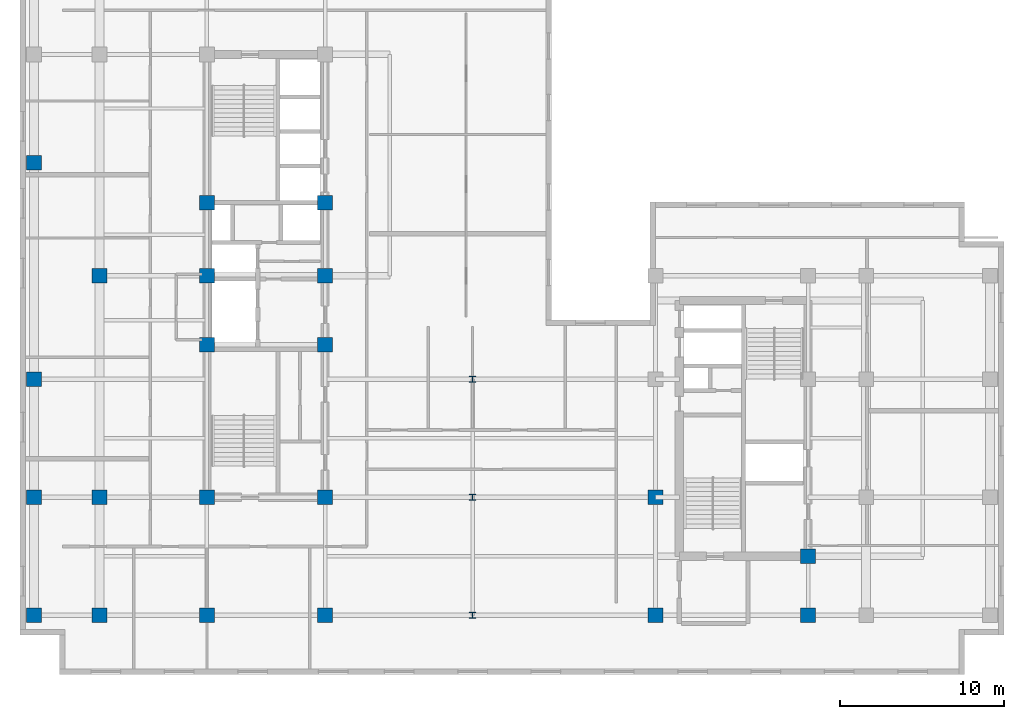
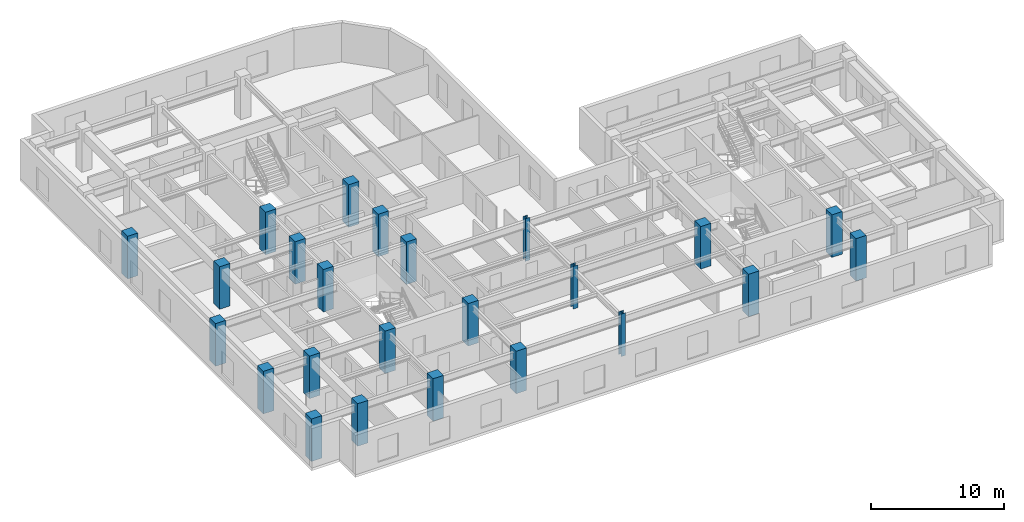
# One storey, part 1 of 11: 24 columns.
"""IFC4 building model written with IfcOpenShell, lengths in metres."""

from ifc_helpers import new_model, entity, si_unit, converted_unit, direction, frame, origin_with_axes, origin_2d_with_axis, place, context, subcontext, project, spatial, rectangle, i_section, extrude, material, material_profile, profile_set, type_object, element, save


model = new_model("IFC4")

# Units and contexts
model_context = context("Model", 3, precision=1e-05, world=origin_with_axes(), true_north=direction((0.0, 1.0)))
body_context = subcontext(model_context, "Body", "Model", "MODEL_VIEW")
ifc_project = project(units=[si_unit("LENGTHUNIT", "METRE"), si_unit("AREAUNIT", "SQUARE_METRE"), si_unit("VOLUMEUNIT", "CUBIC_METRE"), converted_unit("PLANEANGLEUNIT", "DEGREE", entity("IfcPlaneAngleMeasure", 0.017453292519943295), si_unit("PLANEANGLEUNIT", "RADIAN"), dimensions=[0, 0, 0, 0, 0, 0, 0]), si_unit("MASSUNIT", "GRAM", prefix="KILO"), si_unit("THERMODYNAMICTEMPERATUREUNIT", "KELVIN")], contexts=[model_context])

# Site, building, storey
site_placement = place(None, origin_with_axes())
site = spatial("IfcSite", under=ifc_project, at=site_placement, CompositionType="ELEMENT")
building_placement = place(site_placement, origin_with_axes())
building = spatial("IfcBuilding", under=site, at=building_placement, Name="Varnlund Millrace Tower", CompositionType="ELEMENT")
storey_placement = place(building_placement, frame((0.0, 0.0, 216.0), z_axis=(0.0, 0.0, 1.0), x_axis=(1.0, 0.0, 0.0)))
storey = spatial("IfcBuildingStorey", under=building, at=storey_placement, Name="L53", CompositionType="ELEMENT", Elevation=216.0)

# Columns
ifc_material_1 = material(Name="Steel ASTM A992 Grade 50", Category="steel")
ifc_material_profile_1 = material_profile(ifc_material_1, i_section(OverallWidth=0.394, OverallDepth=0.375, WebThickness=0.0173, FlangeThickness=0.0277, FilletRadius=0.02, at=origin_2d_with_axis()), Name="Steel ASTM A992 Grade 50")
ifc_profile_set_1 = profile_set([ifc_material_profile_1], Name="Steel ASTM A992 Grade 50")
column_type_1 = type_object("IfcColumnType", Name="Type-Col-Int-W14X145", PredefinedType="COLUMN", material=ifc_profile_set_1)
for number, where, z_axis, x_axis, name in (
    (1, (27.6, 3.6, 0.0), (0.0, 0.0, 1.0), (1.0, 0.0, 0.0), "Type-Col-Int-W14X145"),
    (2, (27.6, 10.8, 0.0), (0.0, 0.0, 1.0), (1.0, 0.0, 0.0), "Type-Col-Int-W14X145"),
    (3, (27.6, 18.0, 0.0), (0.0, 0.0, 1.0), (1.0, 0.0, 0.0), "Type-Col-Int-W14X145"),
):
    element("IfcColumn", number, at=place(storey_placement, frame(where, z_axis=z_axis, x_axis=x_axis)), inside=storey, type_object=column_type_1, Name=name, PredefinedType="COLUMN", context=body_context, shape_type="SweptSolid", body=[
        extrude(i_section(OverallWidth=0.394, OverallDepth=0.375, WebThickness=0.0173, FlangeThickness=0.0277, FilletRadius=0.02, at=origin_2d_with_axis()), origin_with_axes(), (0.0, 0.0, 1.0), 3.9),
    ])
ifc_material_2 = material(Name="Concrete C70/85", Category="concrete")
ifc_material_profile_2 = material_profile(ifc_material_2, rectangle(XDim=0.9, YDim=0.9, at=origin_2d_with_axis()), Name="Concrete C70/85")
ifc_profile_set_2 = profile_set([ifc_material_profile_2], Name="Concrete C70/85")
column_type_2 = type_object("IfcColumnType", Name="Type-Col-RC900-C70", PredefinedType="COLUMN", material=ifc_profile_set_2)
for number, where, z_axis, x_axis, name in (
    (4, (11.4, 3.6, 0.0), (0.0, 0.0, 1.0), (1.0, 0.0, 0.0), "Type-Col-RC900-C70"),
    (5, (11.4, 10.8, 0.0), (0.0, 0.0, 1.0), (1.0, 0.0, 0.0), "Type-Col-RC900-C70"),
    (6, (11.4, 20.1, 0.0), (0.0, 0.0, 1.0), (1.0, 0.0, 0.0), "Type-Col-RC900-C70"),
    (7, (11.4, 24.3, 0.0), (0.0, 0.0, 1.0), (1.0, 0.0, 0.0), "Type-Col-RC900-C70"),
    (8, (11.4, 28.75, 0.0), (0.0, 0.0, 1.0), (1.0, 0.0, 0.0), "Type-Col-RC900-C70"),
    (9, (18.6, 3.6, 0.0), (0.0, 0.0, 1.0), (1.0, 0.0, 0.0), "Type-Col-RC900-C70"),
    (10, (18.6, 10.8, 0.0), (0.0, 0.0, 1.0), (1.0, 0.0, 0.0), "Type-Col-RC900-C70"),
    (11, (18.6, 20.1, 0.0), (0.0, 0.0, 1.0), (1.0, 0.0, 0.0), "Type-Col-RC900-C70"),
    (12, (18.6, 24.3, 0.0), (0.0, 0.0, 1.0), (1.0, 0.0, 0.0), "Type-Col-RC900-C70"),
    (13, (18.6, 28.75, 0.0), (0.0, 0.0, 1.0), (1.0, 0.0, 0.0), "Type-Col-RC900-C70"),
    (14, (4.85, 3.6, 0.0), (0.0, 0.0, 1.0), (1.0, 0.0, 0.0), "Type-Col-RC900-C70"),
    (15, (4.85, 10.8, 0.0), (0.0, 0.0, 1.0), (1.0, 0.0, 0.0), "Type-Col-RC900-C70"),
    (16, (4.85, 24.3, 0.0), (0.0, 0.0, 1.0), (1.0, 0.0, 0.0), "Type-Col-RC900-C70"),
    (17, (0.85, 3.6, 0.0), (0.0, 0.0, 1.0), (1.0, 0.0, 0.0), "Type-Col-RC900-C70"),
    (18, (0.85, 10.8, 0.0), (0.0, 0.0, 1.0), (1.0, 0.0, 0.0), "Type-Col-RC900-C70"),
    (19, (0.85, 18.0, 0.0), (0.0, 0.0, 1.0), (1.0, 0.0, 0.0), "Type-Col-RC900-C70"),
    (20, (0.85, 31.2, 0.0), (0.0, 0.0, 1.0), (1.0, 0.0, 0.0), "Type-Col-RC900-C70"),
    (21, (38.75, 3.6, 0.0), (0.0, 0.0, 1.0), (1.0, 0.0, 0.0), "Type-Col-RC900-C70"),
    (22, (38.75, 10.8, 0.0), (0.0, 0.0, 1.0), (1.0, 0.0, 0.0), "Type-Col-RC900-C70"),
    (23, (48.05, 3.6, 0.0), (0.0, 0.0, 1.0), (1.0, 0.0, 0.0), "Type-Col-RC900-C70"),
    (24, (48.05, 7.2, 0.0), (0.0, 0.0, 1.0), (1.0, 0.0, 0.0), "Type-Col-RC900-C70"),
):
    element("IfcColumn", number, at=place(storey_placement, frame(where, z_axis=z_axis, x_axis=x_axis)), inside=storey, type_object=column_type_2, Name=name, PredefinedType="COLUMN", context=body_context, shape_type="SweptSolid", body=[
        extrude(rectangle(XDim=0.9, YDim=0.9, at=origin_2d_with_axis()), origin_with_axes(), (0.0, 0.0, 1.0), 3.9),
    ])

save(model, "model.ifc")
